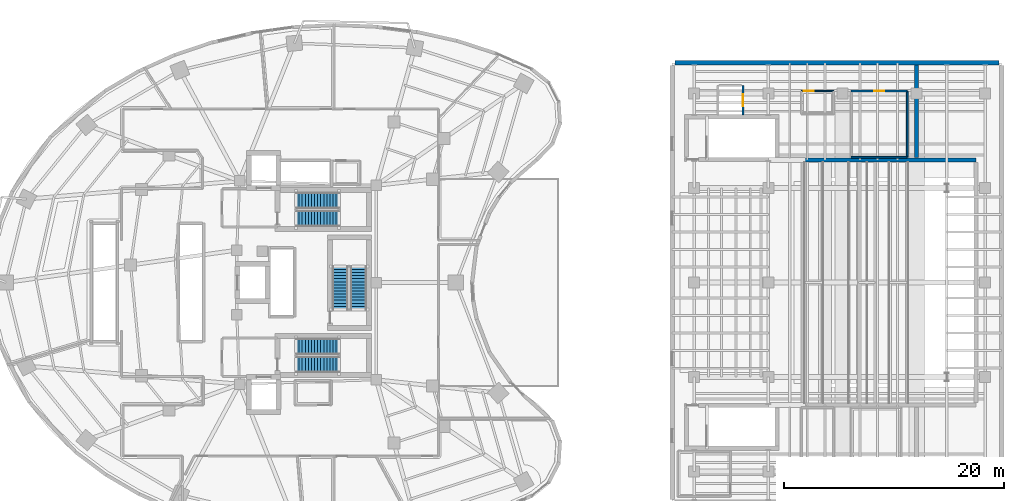
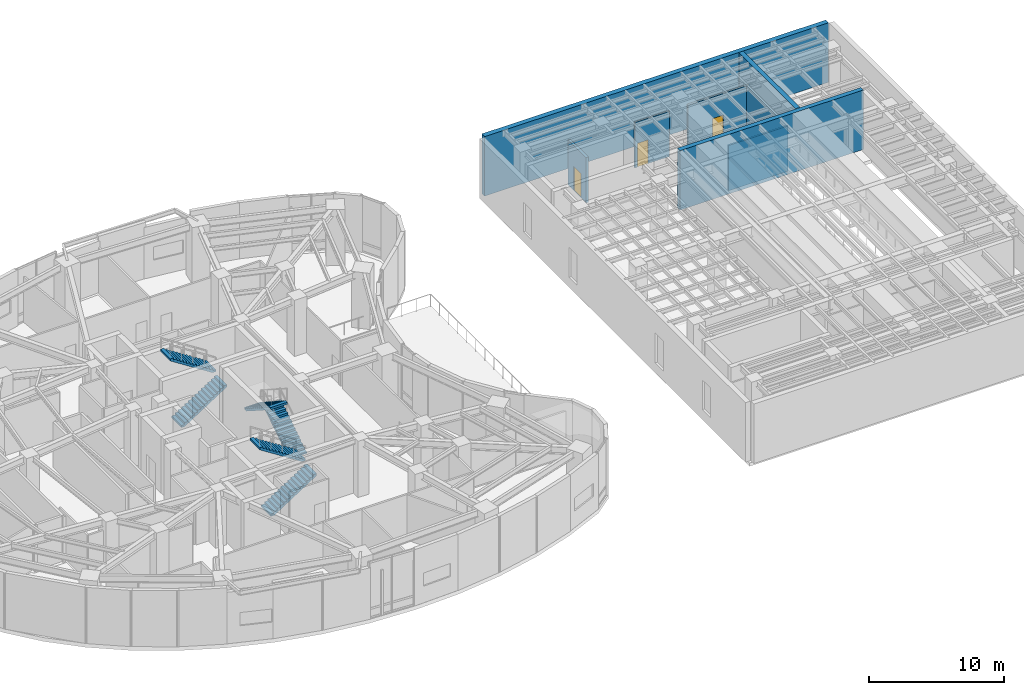
# One storey, part 16 of 19: 8 walls, 6 stair flights, 3 doors, 3 openings, 3 elements without a shape of their own.
"""IFC4 building model written with IfcOpenShell, lengths in metres."""

from ifc_helpers import new_model, si_unit, direction, frame, frame_2d, origin, place, context, subcontext, project, spatial, polyline, rectangle, outline, extrude, material, layer, layer_set, type_object, element, fill, aggregate, save


model = new_model("IFC4")

# Units and contexts
model_context = context("Model", 3, precision=1e-05, world=origin(), true_north=direction((0.0, 1.0)))
body_context = subcontext(model_context, "Body", "Model", "MODEL_VIEW")
ifc_project = project(units=[si_unit("LENGTHUNIT", "METRE"), si_unit("AREAUNIT", "SQUARE_METRE"), si_unit("VOLUMEUNIT", "CUBIC_METRE"), si_unit("PLANEANGLEUNIT", "RADIAN"), si_unit("MASSUNIT", "GRAM", prefix="KILO")], contexts=[model_context])

# Site, building, storey
site_placement = place(None, origin())
site = spatial("IfcSite", under=ifc_project, at=site_placement, CompositionType="ELEMENT")
building_placement = place(site_placement, origin())
building = spatial("IfcBuilding", under=site, at=building_placement, Name="Korentha Bioscience Tower", CompositionType="ELEMENT")
storey_placement = place(building_placement, frame((0.0, 0.0, 20.39990234375)))
storey = spatial("IfcBuildingStorey", under=building, at=storey_placement, Name="L04", CompositionType="ELEMENT", Elevation=20.39990234375)

# Wall, opening, door
ifc_material_1 = material(Name="Gypsum-Clad Steel Stud", Category="steel")
ifc_layer_1 = layer(ifc_material_1, 0.159912109375, Name="Gypsum-Clad Steel Stud")
ifc_layer_set_1 = layer_set([ifc_layer_1], Name="Gypsum-Clad Steel Stud (IW-C160)")
wall_type_1 = type_object("IfcWallType", Name="Fire-Rated Corridor Partition Wall 160", PredefinedType="PARTITIONING", material=ifc_layer_set_1)
wall_1_placement = place(storey_placement, frame((80.800048828125, 44.43994140625, 0.0), z_axis=(0.0, 0.0, 1.0), x_axis=(1.0, 0.0, 0.0)))
wall_1 = element("IfcWall", 1, at=wall_1_placement, inside=storey, type_object=wall_type_1, Name="L04 L04 Stage Lighting Dimmer Store Entrance Wall", PredefinedType="PARTITIONING", context=body_context, shape_type="SweptSolid", body=[
    extrude(rectangle(XDim=5.099853515625, YDim=0.159912109375, at=frame_2d((2.5498046875, 0.0))), origin(), (0.0, 0.0, 1.0), 4.110107421875),
])
opening_1_placement = place(wall_1_placement, frame((2.074951171875, 0.0, 0.0)))
opening_1 = element("IfcOpeningElement", 2, at=opening_1_placement, cuts=wall_1, Name="Opening ID-10R", PredefinedType="OPENING", context=body_context, shape_type="SweptSolid", body=[
    extrude(rectangle(XDim=0.949951171875, YDim=2.14990234375, at=frame_2d((0.47509765625, 1.074951171875))), frame((0.0, 0.0947265625, 0.0), z_axis=(0.0, -1.0, 0.0), x_axis=(1.0, 0.0, 0.0)), (0.0, 0.0, 1.0), 0.189697265625),
])
ifc_material_2 = material(Name="Phenolic Laminate Timber Core", Category="wood")
door_type_1 = type_object("IfcDoorType", Name="Laboratory Single Leaf Door 950x2150 Right", OperationType="SINGLE_SWING_RIGHT", PredefinedType="DOOR", material=ifc_material_2)
door_1_placement = place(opening_1_placement, origin())
door_1 = element("IfcDoor", 3, at=door_1_placement, inside=storey, type_object=door_type_1, Name="L04 L04 Stage Lighting Dimmer Store Door", OperationType="SINGLE_SWING_RIGHT", OverallHeight=2.14990234375, OverallWidth=0.949951171875, PredefinedType="DOOR", context=body_context, shape_type="SweptSolid", body=[
    extrude(rectangle(XDim=0.949951171875, YDim=2.14990234375, at=frame_2d((0.47509765625, 1.074951171875))), frame((0.0, 0.02490234375, 0.0), z_axis=(0.0, -1.0, 0.0), x_axis=(1.0, 0.0, 0.0)), (0.0, 0.0, 1.0), 0.050048828125),
])
fill(opening_1, door_1)

# Walls
wall_2_placement = place(storey_placement, frame((85.89990234375, 38.39990234375, 0.0), z_axis=(0.0, 0.0, 1.0), x_axis=(-1.0, 0.0, 0.0)))
element("IfcWall", 4, at=wall_2_placement, inside=storey, type_object=wall_type_1, Name="L04 Interior Partition 071", PredefinedType="PARTITIONING", context=body_context, shape_type="SweptSolid", body=[
    extrude(rectangle(XDim=5.099853515625, YDim=0.159912109375, at=frame_2d((2.5498046875, 0.0))), origin(), (0.0, 0.0, 1.0), 4.110107421875),
])
wall_3_placement = place(storey_placement, frame((85.89990234375, 44.43994140625, 0.0), z_axis=(0.0, 0.0, 1.0), x_axis=(0.0, -1.0, 0.0)))
element("IfcWall", 5, at=wall_3_placement, inside=storey, type_object=wall_type_1, Name="L04 Interior Partition 073", PredefinedType="PARTITIONING", context=body_context, shape_type="SweptSolid", body=[
    extrude(rectangle(XDim=6.0400390625, YDim=0.159912109375, at=frame_2d((3.02001953125, 0.0))), origin(), (0.0, 0.0, 1.0), 4.110107421875),
])

# Wall, opening, door
ifc_material_3 = material(Name="Autoclaved Aerated Concrete Block C25", Category="concrete")
ifc_layer_2 = layer(ifc_material_3, 0.199951171875, Name="Autoclaved Aerated Concrete Block C25")
ifc_layer_set_2 = layer_set([ifc_layer_2], Name="Autoclaved Aerated Concrete Block C25 (IW-S200)")
wall_type_2 = type_object("IfcWallType", Name="Lift and Riser Shaft Enclosure Wall 200", PredefinedType="PARTITIONING", material=ifc_layer_set_2)
wall_4_placement = place(storey_placement, frame((70.93994140625, 42.260009765625, 0.0), z_axis=(0.0, 0.0, 1.0), x_axis=(0.0, 1.0, 0.0)))
wall_4 = element("IfcWall", 6, at=wall_4_placement, inside=storey, type_object=wall_type_2, Name="L04 Lift Bank LT1 Shaft Wall +X", PredefinedType="PARTITIONING", context=body_context, shape_type="SweptSolid", body=[
    extrude(rectangle(XDim=2.679931640625, YDim=0.199951171875, at=frame_2d((1.33984375, 0.0))), origin(), (0.0, 0.0, 1.0), 4.110107421875),
])
opening_2_placement = place(wall_4_placement, frame((0.7900390625, 0.0, 0.0)))
opening_2 = element("IfcOpeningElement", 7, at=opening_2_placement, cuts=wall_4, Name="Opening LD-11", PredefinedType="OPENING", context=body_context, shape_type="SweptSolid", body=[
    extrude(rectangle(XDim=1.10009765625, YDim=2.199951171875, at=frame_2d((0.550048828125, 1.10009765625))), frame((0.0, 0.11474609375, 0.0), z_axis=(0.0, -1.0, 0.0), x_axis=(1.0, 0.0, 0.0)), (0.0, 0.0, 1.0), 0.229736328125),
])
ifc_material_4 = material(Name="Brushed Stainless Steel 304", Category="steel")
door_type_2 = type_object("IfcDoorType", Name="Passenger Lift Sliding Landing Door 1100x2200", OperationType="DOUBLE_DOOR_SLIDING", PredefinedType="DOOR", material=ifc_material_4)
door_2_placement = place(opening_2_placement, origin())
door_2 = element("IfcDoor", 8, at=door_2_placement, inside=storey, type_object=door_type_2, Name="L04 LT-1 Sliding Lift Landing Door", OperationType="DOUBLE_DOOR_SLIDING", OverallHeight=2.199951171875, OverallWidth=1.10009765625, PredefinedType="DOOR", context=body_context, shape_type="SweptSolid", body=[
    extrude(rectangle(XDim=1.10009765625, YDim=2.199951171875, at=frame_2d((0.550048828125, 1.10009765625))), frame((0.0, 0.02490234375, 0.0), z_axis=(0.0, -1.0, 0.0), x_axis=(1.0, 0.0, 0.0)), (0.0, 0.0, 1.0), 0.050048828125),
])
fill(opening_2, door_2)

# Walls
ifc_material_5 = material(Name="Concrete C50", Category="concrete")
ifc_layer_3 = layer(ifc_material_5, 0.419921875, Name="Concrete C50")
ifc_layer_set_3 = layer_set([ifc_layer_3], Name="Concrete C50 (TW-E420)")
wall_type_3 = type_object("IfcWallType", Name="Theatre Acoustic Shear Wall 420", PredefinedType="SHEAR", material=ifc_layer_set_3)
wall_5_placement = place(storey_placement, frame((64.75, 47.0, 0.0), z_axis=(0.0, 0.0, 1.0), x_axis=(1.0, 0.0, 0.0)))
element("IfcWall", 9, at=wall_5_placement, inside=storey, type_object=wall_type_3, Name="L04 Theatre Acoustic Shear Wall N", PredefinedType="SHEAR", context=body_context, shape_type="SweptSolid", body=[
    extrude(rectangle(XDim=29.5, YDim=0.419921875, at=frame_2d((14.75, 0.0))), origin(), (0.0, 0.0, 1.0), 5.400146484375),
])
ifc_layer_4 = layer(ifc_material_5, 0.3798828125, Name="Concrete C50")
ifc_layer_set_4 = layer_set([ifc_layer_4], Name="Concrete C50 (TW-I380)")
wall_type_4 = type_object("IfcWallType", Name="Theatre Proscenium Shear Wall 380", PredefinedType="SHEAR", material=ifc_layer_set_4)
wall_6_placement = place(storey_placement, frame((86.75, 38.3798828125, 0.0), z_axis=(0.0, 0.0, 1.0), x_axis=(0.0, 1.0, 0.0)))
element("IfcWall", 10, at=wall_6_placement, inside=storey, type_object=wall_type_4, Name="L04 Theatre Shear Wall PROSC-N", PredefinedType="SHEAR", context=body_context, shape_type="SweptSolid", body=[
    extrude(rectangle(XDim=8.41015625, YDim=0.3798828125, at=frame_2d((4.205078125, 0.0))), origin(), (0.0, 0.0, 1.0), 5.400146484375),
])
wall_7_placement = place(storey_placement, frame((76.39990234375, 38.14990234375, 0.0), z_axis=(0.0, 0.0, 1.0), x_axis=(1.0, 0.0, 0.0)))
element("IfcWall", 11, at=wall_7_placement, inside=storey, type_object=wall_type_4, Name="L04 Theatre Shear Wall ACSH-N1", PredefinedType="SHEAR", context=body_context, shape_type="SweptSolid", body=[
    extrude(rectangle(XDim=15.75, YDim=0.3798828125, at=frame_2d((7.875, 0.0))), origin(), (0.0, 0.0, 1.0), 5.400146484375),
])

# Wall, opening, door
ifc_material_6 = material(Name="Cement-Board Steel Stud", Category="steel")
ifc_layer_5 = layer(ifc_material_6, 0.1298828125, Name="Cement-Board Steel Stud")
ifc_layer_set_5 = layer_set([ifc_layer_5], Name="Cement-Board Steel Stud (IW-W130)")
wall_type_5 = type_object("IfcWallType", Name="Wet-Area Moisture-Resistant Partition 130", PredefinedType="PARTITIONING", material=ifc_layer_set_5)
wall_8_placement = place(storey_placement, frame((76.25, 44.43994140625, 0.0), z_axis=(0.0, 0.0, 1.0), x_axis=(1.0, 0.0, 0.0)))
wall_8 = element("IfcWall", 12, at=wall_8_placement, inside=storey, type_object=wall_type_5, Name="L04 L04 Theatre Accessible WC Entrance Wall", PredefinedType="PARTITIONING", context=body_context, shape_type="SweptSolid", body=[
    extrude(rectangle(XDim=2.949951171875, YDim=0.1298828125, at=frame_2d((1.47509765625, 0.0))), origin(), (0.0, 0.0, 1.0), 4.110107421875),
])
opening_3_placement = place(wall_8_placement, frame((0.239990234375, 0.0, 0.0)))
opening_3 = element("IfcOpeningElement", 13, at=opening_3_placement, cuts=wall_8, Name="Opening ID-09L", PredefinedType="OPENING", context=body_context, shape_type="SweptSolid", body=[
    extrude(rectangle(XDim=0.89990234375, YDim=2.14990234375, at=frame_2d((0.449951171875, 1.074951171875))), frame((0.0, 0.079833984375, 0.0), z_axis=(0.0, -1.0, 0.0), x_axis=(1.0, 0.0, 0.0)), (0.0, 0.0, 1.0), 0.15966796875),
])
ifc_material_7 = material(Name="Moisture-Resistant HPL Leaf", Category="wood")
door_type_3 = type_object("IfcDoorType", Name="Restroom & Accessible WC Door 900x2150 Left", OperationType="SINGLE_SWING_LEFT", PredefinedType="DOOR", material=ifc_material_7)
door_3_placement = place(opening_3_placement, origin())
door_3 = element("IfcDoor", 14, at=door_3_placement, inside=storey, type_object=door_type_3, Name="L04 L04 Theatre Accessible WC Door", OperationType="SINGLE_SWING_LEFT", OverallHeight=2.14990234375, OverallWidth=0.89990234375, PredefinedType="DOOR", context=body_context, shape_type="SweptSolid", body=[
    extrude(rectangle(XDim=0.89990234375, YDim=2.14990234375, at=frame_2d((0.449951171875, 1.074951171875))), frame((0.0, 0.02490234375, 0.0), z_axis=(0.0, -1.0, 0.0), x_axis=(1.0, 0.0, 0.0)), (0.0, 0.0, 1.0), 0.050048828125),
])
fill(opening_3, door_3)

# Stair, stair flights
ifc_material_8 = material(Name="Precast Concrete C50", Category="concrete")
stair_type = type_object("IfcStairType", Name="Core Exit Dog-Leg Stair 1450", PredefinedType="HALF_TURN_STAIR", material=ifc_material_8)
stair_1_placement = place(storey_placement, origin())
stair_1 = element("IfcStair", 15, at=stair_1_placement, inside=storey, type_object=stair_type, Name="L04 Tower North Pressurized Exit Stair ST-1", PredefinedType="HALF_TURN_STAIR")
stair_flight_type = type_object("IfcStairFlightType", Name="Core Exit Dog-Leg Stair 1450 Flight", PredefinedType="STRAIGHT", material=ifc_material_8)
stair_flight_1_placement = place(storey_placement, frame((30.25, 32.824951171875, 0.0), z_axis=(0.0, 0.0, 1.0), x_axis=(1.0, 0.0, 0.0)))
stair_flight_1 = element("IfcStairFlight", 16, at=stair_flight_1_placement, type_object=stair_flight_type, Name="ST-1 flight 1", NumberOfRisers=15, NumberOfTreads=14, PredefinedType="STRAIGHT", RiserHeight=0.18, TreadLength=0.28, context=body_context, shape_type="SweptSolid", body=[
    extrude(outline(polyline([(0.0, 0.0), (0.0, 0.179931640625), (0.280029296875, 0.179931640625), (0.280029296875, 0.360107421875), (0.56005859375, 0.360107421875), (0.56005859375, 0.5400390625), (0.840087890625, 0.5400390625), (0.840087890625, 0.719970703125), (1.1201171875, 0.719970703125), (1.1201171875, 0.89990234375), (1.39990234375, 0.89990234375), (1.39990234375, 1.080078125), (1.679931640625, 1.080078125), (1.679931640625, 1.260009765625), (1.9599609375, 1.260009765625), (1.9599609375, 1.43994140625), (2.239990234375, 1.43994140625), (2.239990234375, 1.6201171875), (2.52001953125, 1.6201171875), (2.52001953125, 1.800048828125), (2.800048828125, 1.800048828125), (2.800048828125, 1.97998046875), (3.080078125, 1.97998046875), (3.080078125, 2.159912109375), (3.360107421875, 2.159912109375), (3.360107421875, 2.340087890625), (3.639892578125, 2.340087890625), (3.639892578125, 2.52001953125), (3.919921875, 2.52001953125), (3.919921875, 2.699951171875), (3.919921875, 2.329833984375), (0.295654296875, 0.0), (0.0, 0.0)])), frame((0.0, 0.72509765625, 0.0), z_axis=(0.0, -1.0, 0.0), x_axis=(1.0, 0.0, 0.0)), (0.0, 0.0, 1.0), 1.449951171875),
])
stair_flight_2_placement = place(storey_placement, frame((34.169921875, 34.47509765625, 2.7001953125), z_axis=(0.0, 0.0, 1.0), x_axis=(-1.0, 0.0, 0.0)))
stair_flight_2 = element("IfcStairFlight", 17, at=stair_flight_2_placement, type_object=stair_flight_type, Name="ST-1 flight 2", NumberOfRisers=15, NumberOfTreads=14, PredefinedType="STRAIGHT", RiserHeight=0.18, TreadLength=0.28, context=body_context, shape_type="SweptSolid", body=[
    extrude(outline(polyline([(0.0, 0.0), (0.0, 0.179931640625), (0.280029296875, 0.179931640625), (0.280029296875, 0.360107421875), (0.56005859375, 0.360107421875), (0.56005859375, 0.5400390625), (0.840087890625, 0.5400390625), (0.840087890625, 0.719970703125), (1.1201171875, 0.719970703125), (1.1201171875, 0.89990234375), (1.39990234375, 0.89990234375), (1.39990234375, 1.080078125), (1.679931640625, 1.080078125), (1.679931640625, 1.260009765625), (1.9599609375, 1.260009765625), (1.9599609375, 1.43994140625), (2.239990234375, 1.43994140625), (2.239990234375, 1.6201171875), (2.52001953125, 1.6201171875), (2.52001953125, 1.800048828125), (2.800048828125, 1.800048828125), (2.800048828125, 1.97998046875), (3.080078125, 1.97998046875), (3.080078125, 2.159912109375), (3.360107421875, 2.159912109375), (3.360107421875, 2.340087890625), (3.639892578125, 2.340087890625), (3.639892578125, 2.52001953125), (3.919921875, 2.52001953125), (3.919921875, 2.699951171875), (3.919921875, 2.329833984375), (0.295654296875, 0.0), (0.0, 0.0)])), frame((0.0, 0.72509765625, 0.0), z_axis=(0.0, -1.0, 0.0), x_axis=(1.0, 0.0, 0.0)), (0.0, 0.0, 1.0), 1.449951171875),
])
aggregate(stair_1, [stair_flight_1, stair_flight_2])

stair_2_placement = place(storey_placement, origin())
stair_2 = element("IfcStair", 18, at=stair_2_placement, inside=storey, type_object=stair_type, Name="L04 Tower South Pressurized Exit Stair ST-2", PredefinedType="HALF_TURN_STAIR")
stair_flight_3_placement = place(storey_placement, frame((30.25, 19.52490234375, 0.0), z_axis=(0.0, 0.0, 1.0), x_axis=(1.0, 0.0, 0.0)))
stair_flight_3 = element("IfcStairFlight", 19, at=stair_flight_3_placement, type_object=stair_flight_type, Name="ST-2 flight 1", NumberOfRisers=15, NumberOfTreads=14, PredefinedType="STRAIGHT", RiserHeight=0.18, TreadLength=0.28, context=body_context, shape_type="SweptSolid", body=[
    extrude(outline(polyline([(0.0, 0.0), (0.0, 0.179931640625), (0.280029296875, 0.179931640625), (0.280029296875, 0.360107421875), (0.56005859375, 0.360107421875), (0.56005859375, 0.5400390625), (0.840087890625, 0.5400390625), (0.840087890625, 0.719970703125), (1.1201171875, 0.719970703125), (1.1201171875, 0.89990234375), (1.39990234375, 0.89990234375), (1.39990234375, 1.080078125), (1.679931640625, 1.080078125), (1.679931640625, 1.260009765625), (1.9599609375, 1.260009765625), (1.9599609375, 1.43994140625), (2.239990234375, 1.43994140625), (2.239990234375, 1.6201171875), (2.52001953125, 1.6201171875), (2.52001953125, 1.800048828125), (2.800048828125, 1.800048828125), (2.800048828125, 1.97998046875), (3.080078125, 1.97998046875), (3.080078125, 2.159912109375), (3.360107421875, 2.159912109375), (3.360107421875, 2.340087890625), (3.639892578125, 2.340087890625), (3.639892578125, 2.52001953125), (3.919921875, 2.52001953125), (3.919921875, 2.699951171875), (3.919921875, 2.329833984375), (0.295654296875, 0.0), (0.0, 0.0)])), frame((0.0, 0.72509765625, 0.0), z_axis=(0.0, -1.0, 0.0), x_axis=(1.0, 0.0, 0.0)), (0.0, 0.0, 1.0), 1.449951171875),
])
stair_flight_4_placement = place(storey_placement, frame((34.169921875, 21.175048828125, 2.7001953125), z_axis=(0.0, 0.0, 1.0), x_axis=(-1.0, 0.0, 0.0)))
stair_flight_4 = element("IfcStairFlight", 20, at=stair_flight_4_placement, type_object=stair_flight_type, Name="ST-2 flight 2", NumberOfRisers=15, NumberOfTreads=14, PredefinedType="STRAIGHT", RiserHeight=0.18, TreadLength=0.28, context=body_context, shape_type="SweptSolid", body=[
    extrude(outline(polyline([(0.0, 0.0), (0.0, 0.179931640625), (0.280029296875, 0.179931640625), (0.280029296875, 0.360107421875), (0.56005859375, 0.360107421875), (0.56005859375, 0.5400390625), (0.840087890625, 0.5400390625), (0.840087890625, 0.719970703125), (1.1201171875, 0.719970703125), (1.1201171875, 0.89990234375), (1.39990234375, 0.89990234375), (1.39990234375, 1.080078125), (1.679931640625, 1.080078125), (1.679931640625, 1.260009765625), (1.9599609375, 1.260009765625), (1.9599609375, 1.43994140625), (2.239990234375, 1.43994140625), (2.239990234375, 1.6201171875), (2.52001953125, 1.6201171875), (2.52001953125, 1.800048828125), (2.800048828125, 1.800048828125), (2.800048828125, 1.97998046875), (3.080078125, 1.97998046875), (3.080078125, 2.159912109375), (3.360107421875, 2.159912109375), (3.360107421875, 2.340087890625), (3.639892578125, 2.340087890625), (3.639892578125, 2.52001953125), (3.919921875, 2.52001953125), (3.919921875, 2.699951171875), (3.919921875, 2.329833984375), (0.295654296875, 0.0), (0.0, 0.0)])), frame((0.0, 0.72509765625, 0.0), z_axis=(0.0, -1.0, 0.0), x_axis=(1.0, 0.0, 0.0)), (0.0, 0.0, 1.0), 1.449951171875),
])
aggregate(stair_2, [stair_flight_3, stair_flight_4])

stair_3_placement = place(storey_placement, origin())
stair_3 = element("IfcStair", 21, at=stair_3_placement, inside=storey, type_object=stair_type, Name="L04 Tower Central Pressurized Exit Stair ST-3", PredefinedType="HALF_TURN_STAIR")
stair_flight_5_placement = place(storey_placement, frame((35.925048828125, 24.550048828125, 0.0), z_axis=(0.0, 0.0, 1.0), x_axis=(0.0, 1.0, 0.0)))
stair_flight_5 = element("IfcStairFlight", 22, at=stair_flight_5_placement, type_object=stair_flight_type, Name="ST-3 flight 1", NumberOfRisers=15, NumberOfTreads=14, PredefinedType="STRAIGHT", RiserHeight=0.18, TreadLength=0.28, context=body_context, shape_type="SweptSolid", body=[
    extrude(outline(polyline([(0.0, 0.0), (0.0, 0.179931640625), (0.280029296875, 0.179931640625), (0.280029296875, 0.360107421875), (0.56005859375, 0.360107421875), (0.56005859375, 0.5400390625), (0.840087890625, 0.5400390625), (0.840087890625, 0.719970703125), (1.1201171875, 0.719970703125), (1.1201171875, 0.89990234375), (1.39990234375, 0.89990234375), (1.39990234375, 1.080078125), (1.679931640625, 1.080078125), (1.679931640625, 1.260009765625), (1.9599609375, 1.260009765625), (1.9599609375, 1.43994140625), (2.239990234375, 1.43994140625), (2.239990234375, 1.6201171875), (2.52001953125, 1.6201171875), (2.52001953125, 1.800048828125), (2.800048828125, 1.800048828125), (2.800048828125, 1.97998046875), (3.080078125, 1.97998046875), (3.080078125, 2.159912109375), (3.360107421875, 2.159912109375), (3.360107421875, 2.340087890625), (3.639892578125, 2.340087890625), (3.639892578125, 2.52001953125), (3.919921875, 2.52001953125), (3.919921875, 2.699951171875), (3.919921875, 2.329833984375), (0.295654296875, 0.0), (0.0, 0.0)])), frame((0.0, 0.72509765625, 0.0), z_axis=(0.0, -1.0, 0.0), x_axis=(1.0, 0.0, 0.0)), (0.0, 0.0, 1.0), 1.449951171875),
])
stair_flight_6_placement = place(storey_placement, frame((34.27490234375, 28.469970703125, 2.7001953125), z_axis=(0.0, 0.0, 1.0), x_axis=(0.0, -1.0, 0.0)))
stair_flight_6 = element("IfcStairFlight", 23, at=stair_flight_6_placement, type_object=stair_flight_type, Name="ST-3 flight 2", NumberOfRisers=15, NumberOfTreads=14, PredefinedType="STRAIGHT", RiserHeight=0.18, TreadLength=0.28, context=body_context, shape_type="SweptSolid", body=[
    extrude(outline(polyline([(0.0, 0.0), (0.0, 0.179931640625), (0.280029296875, 0.179931640625), (0.280029296875, 0.360107421875), (0.56005859375, 0.360107421875), (0.56005859375, 0.5400390625), (0.840087890625, 0.5400390625), (0.840087890625, 0.719970703125), (1.1201171875, 0.719970703125), (1.1201171875, 0.89990234375), (1.39990234375, 0.89990234375), (1.39990234375, 1.080078125), (1.679931640625, 1.080078125), (1.679931640625, 1.260009765625), (1.9599609375, 1.260009765625), (1.9599609375, 1.43994140625), (2.239990234375, 1.43994140625), (2.239990234375, 1.6201171875), (2.52001953125, 1.6201171875), (2.52001953125, 1.800048828125), (2.800048828125, 1.800048828125), (2.800048828125, 1.97998046875), (3.080078125, 1.97998046875), (3.080078125, 2.159912109375), (3.360107421875, 2.159912109375), (3.360107421875, 2.340087890625), (3.639892578125, 2.340087890625), (3.639892578125, 2.52001953125), (3.919921875, 2.52001953125), (3.919921875, 2.699951171875), (3.919921875, 2.329833984375), (0.295654296875, 0.0), (0.0, 0.0)])), frame((0.0, 0.72509765625, 0.0), z_axis=(0.0, -1.0, 0.0), x_axis=(1.0, 0.0, 0.0)), (0.0, 0.0, 1.0), 1.449951171875),
])
aggregate(stair_3, [stair_flight_5, stair_flight_6])

save(model, "model.ifc")
